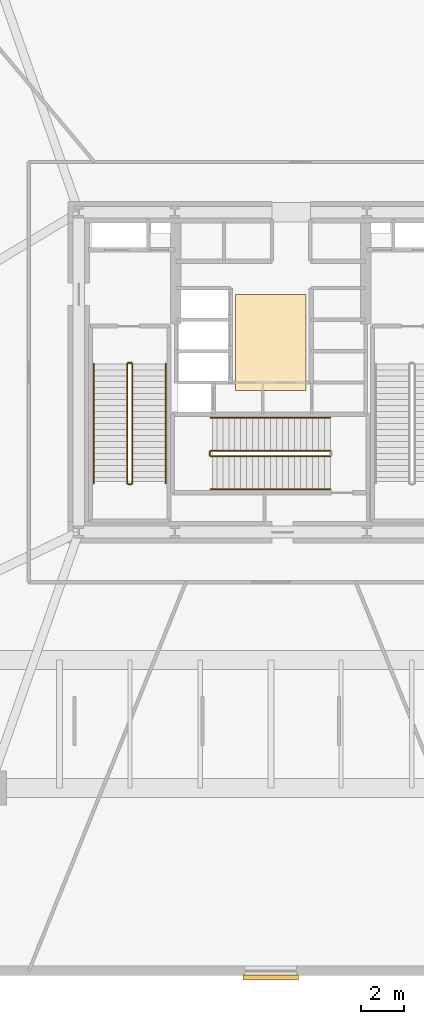
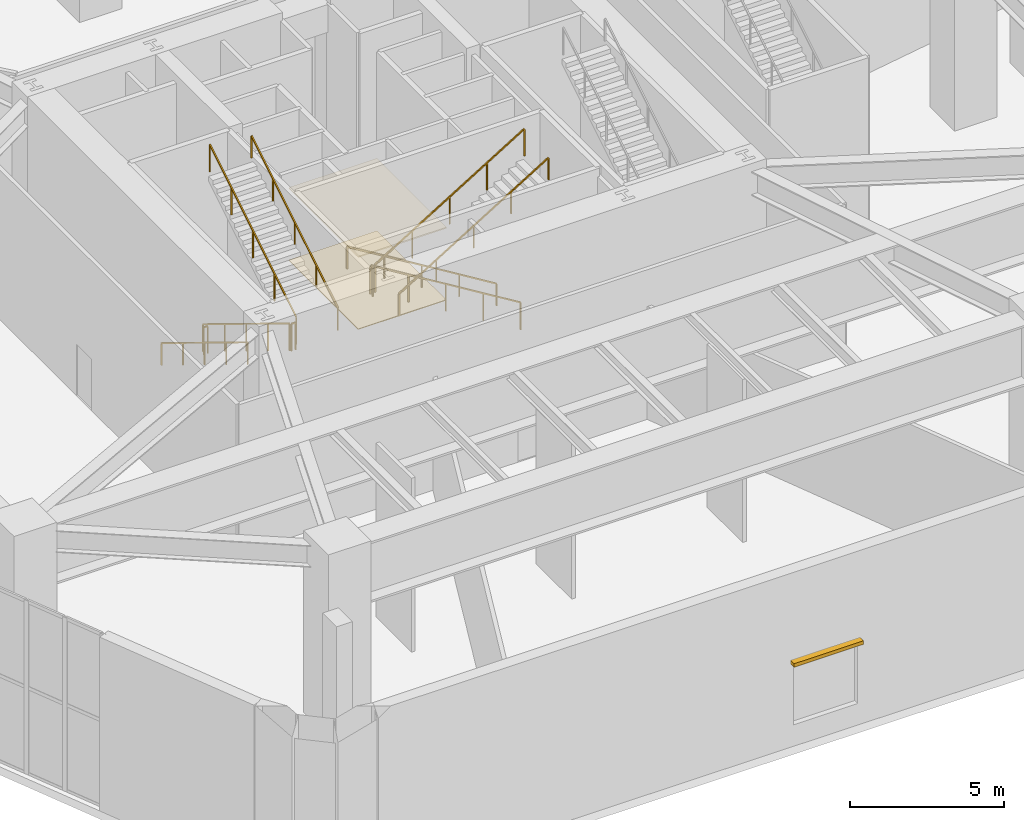
# One storey, part 14 of 17: 11 railings, 2 coverings, 1 shading device.
"""IFC4 building model written with IfcOpenShell, lengths in metres."""

from ifc_helpers import new_model, si_unit, direction, frame, origin, origin_2d, place, context, subcontext, project, spatial, polyline, rectangle, outline, extrude, material, layer, layer_set, type_object, element, save


model = new_model("IFC4")

# Units and contexts
model_context = context("Model", 3, precision=1e-05, world=origin(), true_north=direction((0.0, 1.0)))
body_context = subcontext(model_context, "Body", "Model", "MODEL_VIEW")
ifc_project = project(units=[si_unit("LENGTHUNIT", "METRE"), si_unit("AREAUNIT", "SQUARE_METRE"), si_unit("VOLUMEUNIT", "CUBIC_METRE"), si_unit("PLANEANGLEUNIT", "RADIAN"), si_unit("MASSUNIT", "GRAM", prefix="KILO")], contexts=[model_context])

# Site, building, storey
site_placement = place(None, origin())
site = spatial("IfcSite", under=ifc_project, at=site_placement, CompositionType="ELEMENT")
building_placement = place(site_placement, origin())
building = spatial("IfcBuilding", under=site, at=building_placement, Name="Kilnhurst Terrace Hotel", CompositionType="ELEMENT")
storey_placement = place(building_placement, frame((0.0, 0.0, 11.39990234375)))
storey = spatial("IfcBuildingStorey", under=building, at=storey_placement, Name="L02", CompositionType="ELEMENT", Elevation=11.39990234375)

# Coverings
ifc_material_1 = material(Name="Perforated Micro-Acoustic Gypsum and Mineral Wool Ceiling")
ifc_layer_1 = layer(ifc_material_1, 0.050048828125, Name="Perforated Micro-Acoustic Gypsum and Mineral Wool Ceiling")
ifc_layer_set_1 = layer_set([ifc_layer_1], Name="Perforated Micro-Acoustic Gypsum and Mineral Wool Ceiling")
covering_type_1 = type_object("IfcCoveringType", Name="COV-CLG-AC60", PredefinedType="CEILING", material=ifc_layer_set_1)
covering_1_placement = place(storey_placement, frame((0.0, 0.0, 2.85009765625)))
element("IfcCovering", 1, at=covering_1_placement, inside=storey, type_object=covering_type_1, Name="L02 Lift Lobby Suspended Acoustic Ceiling", PredefinedType="CEILING", context=body_context, shape_type="SweptSolid", body=[
    extrude(outline(polyline([(-1.64990234375, -0.85009765625), (1.64990234375, -0.85009765625), (1.64990234375, 3.64990234375), (-1.64990234375, 3.64990234375), (-1.64990234375, -0.85009765625)])), origin(), (0.0, 0.0, 1.0), 0.050048828125),
])
ifc_material_2 = material(Name="Honed Texas Cream Limestone Tile Flooring", Category="masonry")
ifc_layer_2 = layer(ifc_material_2, 0.030029296875, Name="Honed Texas Cream Limestone Tile Flooring")
ifc_layer_set_2 = layer_set([ifc_layer_2], Name="Honed Texas Cream Limestone Tile Flooring")
covering_type_2 = type_object("IfcCoveringType", Name="COV-FLR-STN30", PredefinedType="FLOORING", material=ifc_layer_set_2)
covering_2_placement = place(storey_placement, origin())
element("IfcCovering", 2, at=covering_2_placement, inside=storey, type_object=covering_type_2, Name="L02 Lift Lobby Honed Limestone Flooring", PredefinedType="FLOORING", context=body_context, shape_type="SweptSolid", body=[
    extrude(outline(polyline([(-1.64990234375, -0.85009765625), (1.64990234375, -0.85009765625), (1.64990234375, 3.64990234375), (-1.64990234375, 3.64990234375), (-1.64990234375, -0.85009765625)])), origin(), (0.0, 0.0, 1.0), 0.030029296875),
])

# Railings
ifc_material_3 = material(Name="Powder-Coated Steel ASTM A500 Grade B", Category="steel")
ifc_layer_3 = layer(ifc_material_3, 0.050048828125, Name="Powder-Coated Steel ASTM A500 Grade B")
ifc_layer_set_3 = layer_set([ifc_layer_3], Name="Powder-Coated Steel ASTM A500 Grade B")
railing_type_1 = type_object("IfcRailingType", Name="RLG-ST-GRD-1100", PredefinedType="GUARDRAIL", material=ifc_layer_set_3)
railing_1_placement = place(storey_placement, frame((-6.739990234375, 0.389892578125, 0.171630859375)))
element("IfcRailing", 3, at=railing_1_placement, inside=storey, type_object=railing_type_1, Name="L02 ST-1 stair guard 1", PredefinedType="GUARDRAIL", context=body_context, shape_type="SweptSolid", body=[
    extrude(rectangle(XDim=0.048095703125, YDim=0.048095703125, at=origin_2d()), frame((0.0, 0.0, 1.076171875), z_axis=(0.0, -0.852852317832, 0.522152203833), x_axis=(1.0, 0.0, 0.0)), (0.0, 0.0, 1.0), 6.56591796875),
    extrude(rectangle(XDim=0.0419921875, YDim=0.0419921875, at=origin_2d()), origin(), (0.0, 0.0, 1.0), 1.052001953125),
    extrude(rectangle(XDim=0.0419921875, YDim=0.0419921875, at=origin_2d()), frame((0.0, -1.39990234375, 0.857177734375)), (0.0, 0.0, 1.0), 1.052001953125),
    extrude(rectangle(XDim=0.0419921875, YDim=0.0419921875, at=origin_2d()), frame((0.0, -2.7998046875, 1.71435546875)), (0.0, 0.0, 1.0), 1.052001953125),
    extrude(rectangle(XDim=0.0419921875, YDim=0.0419921875, at=origin_2d()), frame((0.0, -4.199951171875, 2.5712890625)), (0.0, 0.0, 1.0), 1.052001953125),
    extrude(rectangle(XDim=0.0419921875, YDim=0.0419921875, at=origin_2d()), frame((0.0, -5.599853515625, 3.428466796875)), (0.0, 0.0, 1.0), 1.052001953125),
])
railing_2_placement = place(storey_placement, frame((-6.68994140625, -5.260009765625, 3.60009765625)))
element("IfcRailing", 4, at=railing_2_placement, inside=storey, type_object=railing_type_1, Name="L02 ST-1 stair guard 2", PredefinedType="GUARDRAIL", context=body_context, shape_type="SweptSolid", body=[
    extrude(rectangle(XDim=0.048095703125, YDim=0.048095703125, at=origin_2d()), frame((0.0, 0.0, 1.076171875), z_axis=(1.0, 0.0, 0.0), x_axis=(0.0, 1.0, 0.0)), (0.0, 0.0, 1.0), 0.14990234375),
    extrude(rectangle(XDim=0.0419921875, YDim=0.0419921875, at=origin_2d()), origin(), (0.0, 0.0, 1.0), 1.052001953125),
    extrude(rectangle(XDim=0.0419921875, YDim=0.0419921875, at=origin_2d()), frame((0.14990234375, 0.0, 0.0)), (0.0, 0.0, 1.0), 1.052001953125),
])
railing_3_placement = place(storey_placement, frame((-6.489990234375, -5.2099609375, 3.771484375)))
element("IfcRailing", 5, at=railing_3_placement, inside=storey, type_object=railing_type_1, Name="L02 ST-1 stair guard 3", PredefinedType="GUARDRAIL", context=body_context, shape_type="SweptSolid", body=[
    extrude(rectangle(XDim=0.048095703125, YDim=0.048095703125, at=origin_2d()), frame((0.0, 0.0, 1.076171875), z_axis=(0.0, 0.852835759714, 0.522179247915), x_axis=(-1.0, 0.0, 0.0)), (0.0, 0.0, 1.0), 6.566162109375),
    extrude(rectangle(XDim=0.0419921875, YDim=0.0419921875, at=origin_2d()), origin(), (0.0, 0.0, 1.0), 1.052001953125),
    extrude(rectangle(XDim=0.0419921875, YDim=0.0419921875, at=origin_2d()), frame((0.0, 1.39990234375, 0.857177734375)), (0.0, 0.0, 1.0), 1.052001953125),
    extrude(rectangle(XDim=0.0419921875, YDim=0.0419921875, at=origin_2d()), frame((0.0, 2.7998046875, 1.71435546875)), (0.0, 0.0, 1.0), 1.052001953125),
    extrude(rectangle(XDim=0.0419921875, YDim=0.0419921875, at=origin_2d()), frame((0.0, 4.199951171875, 2.571533203125)), (0.0, 0.0, 1.0), 1.052001953125),
    extrude(rectangle(XDim=0.0419921875, YDim=0.0419921875, at=origin_2d()), frame((0.0, 5.599853515625, 3.4287109375)), (0.0, 0.0, 1.0), 1.052001953125),
])
railing_4_placement = place(storey_placement, frame((-6.68994140625, 0.43994140625, 0.0)))
element("IfcRailing", 6, at=railing_4_placement, inside=storey, type_object=railing_type_1, Name="L02 ST-1 stair guard 4", PredefinedType="GUARDRAIL", context=body_context, shape_type="SweptSolid", body=[
    extrude(rectangle(XDim=0.048095703125, YDim=0.048095703125, at=origin_2d()), frame((0.0, 0.0, 1.076171875), z_axis=(1.0, 0.0, 0.0), x_axis=(0.0, 1.0, 0.0)), (0.0, 0.0, 1.0), 0.14990234375),
    extrude(rectangle(XDim=0.0419921875, YDim=0.0419921875, at=origin_2d()), origin(), (0.0, 0.0, 1.0), 1.052001953125),
    extrude(rectangle(XDim=0.0419921875, YDim=0.0419921875, at=origin_2d()), frame((0.14990234375, 0.0, 0.0)), (0.0, 0.0, 1.0), 1.052001953125),
])
railing_5_placement = place(storey_placement, frame((2.7900390625, -3.68994140625, 0.171630859375)))
element("IfcRailing", 7, at=railing_5_placement, inside=storey, type_object=railing_type_1, Name="L02 ST-3 stair guard 1", PredefinedType="GUARDRAIL", context=body_context, shape_type="SweptSolid", body=[
    extrude(rectangle(XDim=0.048095703125, YDim=0.048095703125, at=origin_2d()), frame((0.0, 0.0, 1.076171875), z_axis=(-0.852862454864, 0.0, 0.522135646249), x_axis=(0.0, -1.0, 0.0)), (0.0, 0.0, 1.0), 6.566162109375),
    extrude(rectangle(XDim=0.0419921875, YDim=0.0419921875, at=origin_2d()), origin(), (0.0, 0.0, 1.0), 1.052001953125),
    extrude(rectangle(XDim=0.0419921875, YDim=0.0419921875, at=origin_2d()), frame((-1.39990234375, 0.0, 0.857177734375)), (0.0, 0.0, 1.0), 1.052001953125),
    extrude(rectangle(XDim=0.0419921875, YDim=0.0419921875, at=origin_2d()), frame((-2.800048828125, 0.0, 1.71435546875)), (0.0, 0.0, 1.0), 1.052001953125),
    extrude(rectangle(XDim=0.0419921875, YDim=0.0419921875, at=origin_2d()), frame((-4.2001953125, 0.0, 2.5712890625)), (0.0, 0.0, 1.0), 1.052001953125),
    extrude(rectangle(XDim=0.0419921875, YDim=0.0419921875, at=origin_2d()), frame((-5.60009765625, 0.0, 3.428466796875)), (0.0, 0.0, 1.0), 1.052001953125),
])
railing_6_placement = place(storey_placement, frame((-2.860107421875, -3.739990234375, 3.60009765625)))
element("IfcRailing", 8, at=railing_6_placement, inside=storey, type_object=railing_type_1, Name="L02 ST-3 stair guard 2", PredefinedType="GUARDRAIL", context=body_context, shape_type="SweptSolid", body=[
    extrude(rectangle(XDim=0.048095703125, YDim=0.048095703125, at=origin_2d()), frame((0.0, 0.0, 1.076171875), z_axis=(0.0, -1.0, 0.0), x_axis=(1.0, 0.0, 0.0)), (0.0, 0.0, 1.0), 0.14990234375),
    extrude(rectangle(XDim=0.0419921875, YDim=0.0419921875, at=origin_2d()), origin(), (0.0, 0.0, 1.0), 1.052001953125),
    extrude(rectangle(XDim=0.0419921875, YDim=0.0419921875, at=origin_2d()), frame((0.0, -0.14990234375, 0.0)), (0.0, 0.0, 1.0), 1.052001953125),
])
railing_7_placement = place(storey_placement, frame((-2.81005859375, -3.93994140625, 3.771484375)))
element("IfcRailing", 9, at=railing_7_placement, inside=storey, type_object=railing_type_1, Name="L02 ST-3 stair guard 3", PredefinedType="GUARDRAIL", context=body_context, shape_type="SweptSolid", body=[
    extrude(rectangle(XDim=0.048095703125, YDim=0.048095703125, at=origin_2d()), frame((0.0, 0.0, 1.076171875), z_axis=(0.852845897599, 0.0, 0.522162690116), x_axis=(0.0, 1.0, 0.0)), (0.0, 0.0, 1.0), 6.56640625),
    extrude(rectangle(XDim=0.0419921875, YDim=0.0419921875, at=origin_2d()), origin(), (0.0, 0.0, 1.0), 1.052001953125),
    extrude(rectangle(XDim=0.0419921875, YDim=0.0419921875, at=origin_2d()), frame((1.39990234375, 0.0, 0.857177734375)), (0.0, 0.0, 1.0), 1.052001953125),
    extrude(rectangle(XDim=0.0419921875, YDim=0.0419921875, at=origin_2d()), frame((2.800048828125, 0.0, 1.71435546875)), (0.0, 0.0, 1.0), 1.052001953125),
    extrude(rectangle(XDim=0.0419921875, YDim=0.0419921875, at=origin_2d()), frame((4.2001953125, 0.0, 2.571533203125)), (0.0, 0.0, 1.0), 1.052001953125),
    extrude(rectangle(XDim=0.0419921875, YDim=0.0419921875, at=origin_2d()), frame((5.60009765625, 0.0, 3.4287109375)), (0.0, 0.0, 1.0), 1.052001953125),
])
ifc_material_4 = material(Name="Brushed Stainless Steel AISI 304", Category="steel")
ifc_layer_4 = layer(ifc_material_4, 0.048095703125, Name="Brushed Stainless Steel AISI 304")
ifc_layer_set_4 = layer_set([ifc_layer_4], Name="Brushed Stainless Steel AISI 304")
railing_type_2 = type_object("IfcRailingType", Name="RLG-ST-HRL-900", PredefinedType="HANDRAIL", material=ifc_layer_set_4)
railing_8_placement = place(storey_placement, frame((-8.300048828125, 0.389892578125, 0.171630859375)))
element("IfcRailing", 10, at=railing_8_placement, inside=storey, type_object=railing_type_2, Name="L02 ST-1 stair handrail 1", PredefinedType="HANDRAIL", context=body_context, shape_type="SweptSolid", body=[
    extrude(rectangle(XDim=0.048095703125, YDim=0.048095703125, at=origin_2d()), frame((0.0, 0.0, 0.8759765625), z_axis=(0.0, -0.852852317832, 0.522152203833), x_axis=(1.0, 0.0, 0.0)), (0.0, 0.0, 1.0), 6.56591796875),
    extrude(rectangle(XDim=0.0419921875, YDim=0.0419921875, at=origin_2d()), origin(), (0.0, 0.0, 1.0), 0.851806640625),
    extrude(rectangle(XDim=0.0419921875, YDim=0.0419921875, at=origin_2d()), frame((0.0, -1.39990234375, 0.857177734375)), (0.0, 0.0, 1.0), 0.851806640625),
    extrude(rectangle(XDim=0.0419921875, YDim=0.0419921875, at=origin_2d()), frame((0.0, -2.7998046875, 1.71435546875)), (0.0, 0.0, 1.0), 0.851806640625),
    extrude(rectangle(XDim=0.0419921875, YDim=0.0419921875, at=origin_2d()), frame((0.0, -4.199951171875, 2.5712890625)), (0.0, 0.0, 1.0), 0.851806640625),
    extrude(rectangle(XDim=0.0419921875, YDim=0.0419921875, at=origin_2d()), frame((0.0, -5.599853515625, 3.428466796875)), (0.0, 0.0, 1.0), 0.851806640625),
])
railing_9_placement = place(storey_placement, frame((-4.929931640625, -5.2099609375, 3.771484375)))
element("IfcRailing", 11, at=railing_9_placement, inside=storey, type_object=railing_type_2, Name="L02 ST-1 stair handrail 2", PredefinedType="HANDRAIL", context=body_context, shape_type="SweptSolid", body=[
    extrude(rectangle(XDim=0.048095703125, YDim=0.048095703125, at=origin_2d()), frame((0.0, 0.0, 0.8759765625), z_axis=(0.0, 0.852835759714, 0.522179247915), x_axis=(-1.0, 0.0, 0.0)), (0.0, 0.0, 1.0), 6.566162109375),
    extrude(rectangle(XDim=0.0419921875, YDim=0.0419921875, at=origin_2d()), origin(), (0.0, 0.0, 1.0), 0.851806640625),
    extrude(rectangle(XDim=0.0419921875, YDim=0.0419921875, at=origin_2d()), frame((0.0, 1.39990234375, 0.857177734375)), (0.0, 0.0, 1.0), 0.851806640625),
    extrude(rectangle(XDim=0.0419921875, YDim=0.0419921875, at=origin_2d()), frame((0.0, 2.7998046875, 1.71435546875)), (0.0, 0.0, 1.0), 0.851806640625),
    extrude(rectangle(XDim=0.0419921875, YDim=0.0419921875, at=origin_2d()), frame((0.0, 4.199951171875, 2.571533203125)), (0.0, 0.0, 1.0), 0.851806640625),
    extrude(rectangle(XDim=0.0419921875, YDim=0.0419921875, at=origin_2d()), frame((0.0, 5.599853515625, 3.4287109375)), (0.0, 0.0, 1.0), 0.851806640625),
])
railing_10_placement = place(storey_placement, frame((2.7900390625, -2.1298828125, 0.171630859375)))
element("IfcRailing", 12, at=railing_10_placement, inside=storey, type_object=railing_type_2, Name="L02 ST-3 stair handrail 1", PredefinedType="HANDRAIL", context=body_context, shape_type="SweptSolid", body=[
    extrude(rectangle(XDim=0.048095703125, YDim=0.048095703125, at=origin_2d()), frame((0.0, 0.0, 0.8759765625), z_axis=(-0.852862454864, 0.0, 0.522135646249), x_axis=(0.0, -1.0, 0.0)), (0.0, 0.0, 1.0), 6.566162109375),
    extrude(rectangle(XDim=0.0419921875, YDim=0.0419921875, at=origin_2d()), origin(), (0.0, 0.0, 1.0), 0.851806640625),
    extrude(rectangle(XDim=0.0419921875, YDim=0.0419921875, at=origin_2d()), frame((-1.39990234375, 0.0, 0.857177734375)), (0.0, 0.0, 1.0), 0.851806640625),
    extrude(rectangle(XDim=0.0419921875, YDim=0.0419921875, at=origin_2d()), frame((-2.800048828125, 0.0, 1.71435546875)), (0.0, 0.0, 1.0), 0.851806640625),
    extrude(rectangle(XDim=0.0419921875, YDim=0.0419921875, at=origin_2d()), frame((-4.2001953125, 0.0, 2.5712890625)), (0.0, 0.0, 1.0), 0.851806640625),
    extrude(rectangle(XDim=0.0419921875, YDim=0.0419921875, at=origin_2d()), frame((-5.60009765625, 0.0, 3.428466796875)), (0.0, 0.0, 1.0), 0.851806640625),
])
railing_11_placement = place(storey_placement, frame((-2.81005859375, -5.5, 3.771484375)))
element("IfcRailing", 13, at=railing_11_placement, inside=storey, type_object=railing_type_2, Name="L02 ST-3 stair handrail 2", PredefinedType="HANDRAIL", context=body_context, shape_type="SweptSolid", body=[
    extrude(rectangle(XDim=0.048095703125, YDim=0.048095703125, at=origin_2d()), frame((0.0, 0.0, 0.8759765625), z_axis=(0.852845897599, 0.0, 0.522162690116), x_axis=(0.0, 1.0, 0.0)), (0.0, 0.0, 1.0), 6.56640625),
    extrude(rectangle(XDim=0.0419921875, YDim=0.0419921875, at=origin_2d()), origin(), (0.0, 0.0, 1.0), 0.851806640625),
    extrude(rectangle(XDim=0.0419921875, YDim=0.0419921875, at=origin_2d()), frame((1.39990234375, 0.0, 0.857177734375)), (0.0, 0.0, 1.0), 0.851806640625),
    extrude(rectangle(XDim=0.0419921875, YDim=0.0419921875, at=origin_2d()), frame((2.800048828125, 0.0, 1.71435546875)), (0.0, 0.0, 1.0), 0.851806640625),
    extrude(rectangle(XDim=0.0419921875, YDim=0.0419921875, at=origin_2d()), frame((4.2001953125, 0.0, 2.571533203125)), (0.0, 0.0, 1.0), 0.851806640625),
    extrude(rectangle(XDim=0.0419921875, YDim=0.0419921875, at=origin_2d()), frame((5.60009765625, 0.0, 3.4287109375)), (0.0, 0.0, 1.0), 0.851806640625),
])

# Shading device
ifc_material_5 = material(Name="Terracotta Baguette Sunshade on Aluminium Alloy 6063-T6", Category="masonry")
ifc_layer_5 = layer(ifc_material_5, 0.199951171875, Name="Terracotta Baguette Sunshade on Aluminium Alloy 6063-T6")
ifc_layer_set_5 = layer_set([ifc_layer_5], Name="Terracotta Baguette Sunshade on Aluminium Alloy 6063-T6")
shading_device_type = type_object("IfcShadingDeviceType", Name="SHD-SUN-200", PredefinedType="JALOUSIE", material=ifc_layer_set_5)
shading_device_placement = place(storey_placement, frame((0.000244140625, -28.3798828125, 3.2802734375), z_axis=(0.0, 0.0, 1.0), x_axis=(1.0, 0.0, 0.0)))
element("IfcShadingDevice", 14, at=shading_device_placement, inside=storey, type_object=shading_device_type, Name="L02 Terracotta Window Sunshade F1.1", PredefinedType="JALOUSIE", context=body_context, shape_type="SweptSolid", body=[
    extrude(rectangle(XDim=2.60009765625, YDim=0.239990234375, at=origin_2d()), origin(), (0.0, 0.0, 1.0), 0.139892578125),
])

save(model, "model.ifc")
